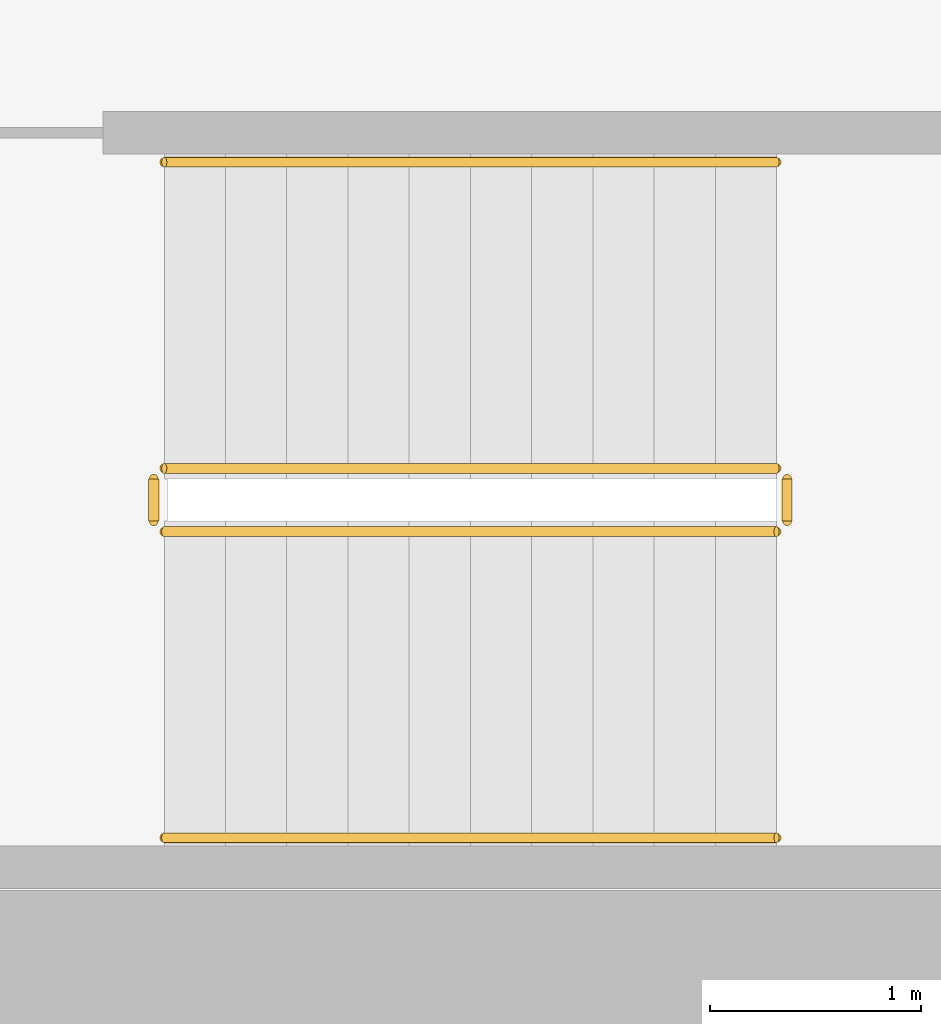
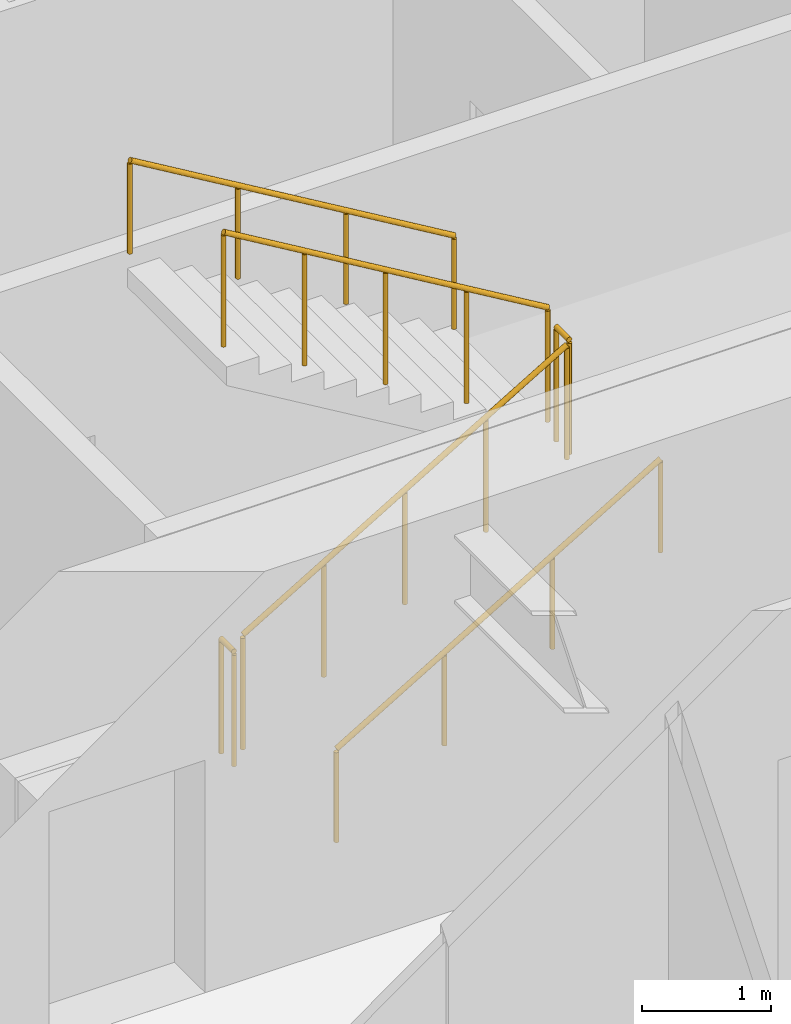
# One storey, part 19 of 20: 6 railings.
"""IFC4 building model written with IfcOpenShell, lengths in metres."""

from ifc_helpers import new_model, si_unit, direction, frame, origin, origin_2d, place, context, subcontext, project, spatial, circle, extrude, material, type_object, element, save


model = new_model("IFC4")

# Units and contexts
model_context = context("Model", 3, precision=1e-05, world=origin(), true_north=direction((0.0, 1.0)))
body_context = subcontext(model_context, "Body", "Model", "MODEL_VIEW")
ifc_project = project(units=[si_unit("LENGTHUNIT", "METRE"), si_unit("AREAUNIT", "SQUARE_METRE"), si_unit("VOLUMEUNIT", "CUBIC_METRE"), si_unit("PLANEANGLEUNIT", "RADIAN"), si_unit("MASSUNIT", "GRAM", prefix="KILO")], contexts=[model_context])

# Site, building, storey
site_placement = place(None, origin())
site = spatial("IfcSite", under=ifc_project, at=site_placement, CompositionType="ELEMENT")
building_placement = place(site_placement, origin())
building = spatial("IfcBuilding", under=site, at=building_placement, Name="Putna Gate Headquarters", CompositionType="ELEMENT")
storey_placement = place(building_placement, frame((0.0, 0.0, 69.60009765625)))
storey = spatial("IfcBuildingStorey", under=building, at=storey_placement, Name="L16", CompositionType="ELEMENT", Elevation=69.60009765625)

# Railings
ifc_material_1 = material(Name="Powder-coated steel stair guardrail", Category="steel")
railing_type_1 = type_object("IfcRailingType", Name="RAIL-STAIR-GUARD-1100", PredefinedType="GUARDRAIL", material=ifc_material_1)
railing_1_placement = place(storey_placement, frame((57.89990234375, 21.10009765625, 0.172607421875)))
element("IfcRailing", 1, at=railing_1_placement, inside=storey, type_object=railing_type_1, Name="L16 ST2 stair guard 1", PredefinedType="GUARDRAIL", context=body_context, shape_type="SweptSolid", body=[
    extrude(circle(Radius=0.02392578125, at=origin_2d()), frame((0.0, 0.0, 1.076171875), z_axis=(0.859160404282, 0.0, 0.51170636083), x_axis=(0.0, 1.0, 0.0)), (0.0, 0.0, 1.0), 3.37548828125),
    extrude(circle(Radius=0.02099609375, at=origin_2d()), origin(), (0.0, 0.0, 1.0), 1.052001953125),
    extrude(circle(Radius=0.02099609375, at=origin_2d()), frame((0.72509765625, 0.0, 0.431884765625)), (0.0, 0.0, 1.0), 1.052001953125),
    extrude(circle(Radius=0.02099609375, at=origin_2d()), frame((1.4501953125, 0.0, 0.86376953125)), (0.0, 0.0, 1.0), 1.052001953125),
    extrude(circle(Radius=0.02099609375, at=origin_2d()), frame((2.175048828125, 0.0, 1.29541015625)), (0.0, 0.0, 1.0), 1.052001953125),
    extrude(circle(Radius=0.02099609375, at=origin_2d()), frame((2.900146484375, 0.0, 1.727294921875)), (0.0, 0.0, 1.0), 1.052001953125),
])
railing_2_placement = place(storey_placement, frame((60.85009765625, 21.14990234375, 1.89990234375)))
element("IfcRailing", 2, at=railing_2_placement, inside=storey, type_object=railing_type_1, Name="L16 ST2 stair guard 2", PredefinedType="GUARDRAIL", context=body_context, shape_type="SweptSolid", body=[
    extrude(circle(Radius=0.02392578125, at=origin_2d()), frame((0.0, 0.0, 1.076171875), z_axis=(0.0, 1.0, 0.0), x_axis=(-1.0, 0.0, 0.0)), (0.0, 0.0, 1.0), 0.2001953125),
    extrude(circle(Radius=0.02099609375, at=origin_2d()), origin(), (0.0, 0.0, 1.0), 1.052001953125),
    extrude(circle(Radius=0.02099609375, at=origin_2d()), frame((0.0, 0.2001953125, 0.0)), (0.0, 0.0, 1.0), 1.052001953125),
])
railing_3_placement = place(storey_placement, frame((60.800048828125, 21.39990234375, 2.072509765625)))
element("IfcRailing", 3, at=railing_3_placement, inside=storey, type_object=railing_type_1, Name="L16 ST2 stair guard 3", PredefinedType="GUARDRAIL", context=body_context, shape_type="SweptSolid", body=[
    extrude(circle(Radius=0.02392578125, at=origin_2d()), frame((0.0, 0.0, 1.076171875), z_axis=(-0.859160404282, 0.0, 0.51170636083), x_axis=(0.0, -1.0, 0.0)), (0.0, 0.0, 1.0), 3.37548828125),
    extrude(circle(Radius=0.02099609375, at=origin_2d()), origin(), (0.0, 0.0, 1.0), 1.052001953125),
    extrude(circle(Radius=0.02099609375, at=origin_2d()), frame((-0.72509765625, 0.0, 0.431884765625)), (0.0, 0.0, 1.0), 1.052001953125),
    extrude(circle(Radius=0.02099609375, at=origin_2d()), frame((-1.4501953125, 0.0, 0.86376953125)), (0.0, 0.0, 1.0), 1.052001953125),
    extrude(circle(Radius=0.02099609375, at=origin_2d()), frame((-2.175048828125, 0.0, 1.29541015625)), (0.0, 0.0, 1.0), 1.052001953125),
    extrude(circle(Radius=0.02099609375, at=origin_2d()), frame((-2.900146484375, 0.0, 1.727294921875)), (0.0, 0.0, 1.0), 1.052001953125),
])
railing_4_placement = place(storey_placement, frame((57.85009765625, 21.14990234375, 0.0)))
element("IfcRailing", 4, at=railing_4_placement, inside=storey, type_object=railing_type_1, Name="L16 ST2 stair guard 4", PredefinedType="GUARDRAIL", context=body_context, shape_type="SweptSolid", body=[
    extrude(circle(Radius=0.02392578125, at=origin_2d()), frame((0.0, 0.0, 1.076171875), z_axis=(0.0, 1.0, 0.0), x_axis=(-1.0, 0.0, 0.0)), (0.0, 0.0, 1.0), 0.2001953125),
    extrude(circle(Radius=0.02099609375, at=origin_2d()), origin(), (0.0, 0.0, 1.0), 1.052001953125),
    extrude(circle(Radius=0.02099609375, at=origin_2d()), frame((0.0, 0.2001953125, 0.0)), (0.0, 0.0, 1.0), 1.052001953125),
])
ifc_material_2 = material(Name="Brushed stainless steel handrail", Category="steel")
railing_type_2 = type_object("IfcRailingType", Name="RAIL-STAIR-HAND-900", PredefinedType="HANDRAIL", material=ifc_material_2)
railing_5_placement = place(storey_placement, frame((57.89990234375, 19.64990234375, 0.172607421875)))
element("IfcRailing", 5, at=railing_5_placement, inside=storey, type_object=railing_type_2, Name="L16 ST2 stair handrail 1", PredefinedType="HANDRAIL", context=body_context, shape_type="SweptSolid", body=[
    extrude(circle(Radius=0.02392578125, at=origin_2d()), frame((0.0, 0.0, 0.8759765625), z_axis=(0.859160404282, 0.0, 0.51170636083), x_axis=(0.0, 1.0, 0.0)), (0.0, 0.0, 1.0), 3.37548828125),
    extrude(circle(Radius=0.02099609375, at=origin_2d()), origin(), (0.0, 0.0, 1.0), 0.851806640625),
    extrude(circle(Radius=0.02099609375, at=origin_2d()), frame((0.966796875, 0.0, 0.57568359375)), (0.0, 0.0, 1.0), 0.851806640625),
    extrude(circle(Radius=0.02099609375, at=origin_2d()), frame((1.933349609375, 0.0, 1.151611328125)), (0.0, 0.0, 1.0), 0.851806640625),
    extrude(circle(Radius=0.02099609375, at=origin_2d()), frame((2.900146484375, 0.0, 1.727294921875)), (0.0, 0.0, 1.0), 0.851806640625),
])
railing_6_placement = place(storey_placement, frame((60.800048828125, 22.85009765625, 2.072509765625)))
element("IfcRailing", 6, at=railing_6_placement, inside=storey, type_object=railing_type_2, Name="L16 ST2 stair handrail 2", PredefinedType="HANDRAIL", context=body_context, shape_type="SweptSolid", body=[
    extrude(circle(Radius=0.02392578125, at=origin_2d()), frame((0.0, 0.0, 0.8759765625), z_axis=(-0.859160404282, 0.0, 0.51170636083), x_axis=(0.0, -1.0, 0.0)), (0.0, 0.0, 1.0), 3.37548828125),
    extrude(circle(Radius=0.02099609375, at=origin_2d()), origin(), (0.0, 0.0, 1.0), 0.851806640625),
    extrude(circle(Radius=0.02099609375, at=origin_2d()), frame((-0.966796875, 0.0, 0.57568359375)), (0.0, 0.0, 1.0), 0.851806640625),
    extrude(circle(Radius=0.02099609375, at=origin_2d()), frame((-1.933349609375, 0.0, 1.151611328125)), (0.0, 0.0, 1.0), 0.851806640625),
    extrude(circle(Radius=0.02099609375, at=origin_2d()), frame((-2.900146484375, 0.0, 1.727294921875)), (0.0, 0.0, 1.0), 0.851806640625),
])

save(model, "model.ifc")
